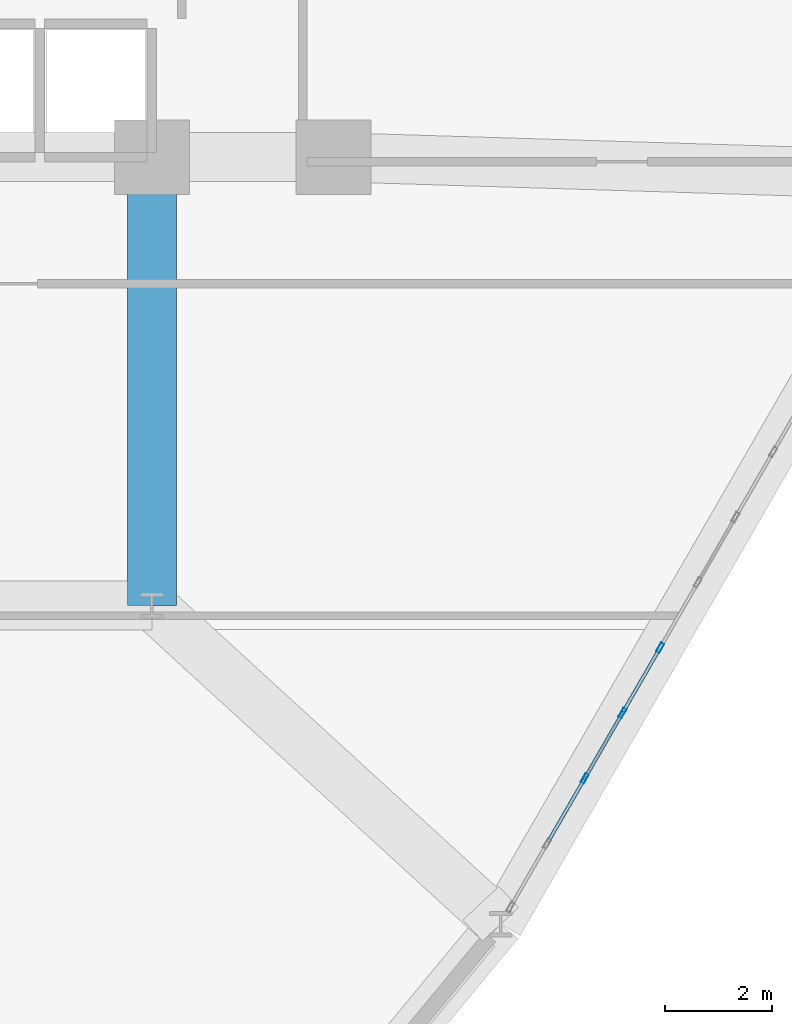
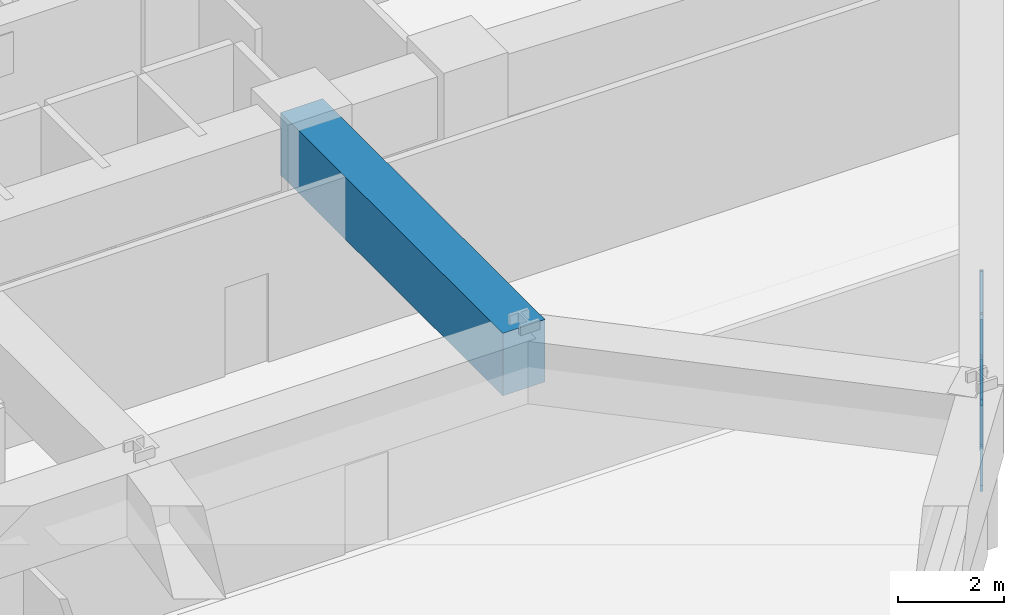
# One storey, part 7 of 20: 10 members, 1 beam, 1 element without a shape of its own.
"""IFC4 building model written with IfcOpenShell, lengths in metres."""

from ifc_helpers import new_model, si_unit, derived_unit, direction, frame, origin, origin_2d, place, context, subcontext, project, spatial, rectangle, hollow_rectangle, extrude, source, transform, mapped, material, layer, layer_set, material_profile, profile_set, type_object, element, aggregate, save


model = new_model("IFC4")

# Units and contexts
model_context = context("Model", 3, precision=1e-05, world=origin(), true_north=direction((0.0, 1.0)))
body_context = subcontext(model_context, "Body", "Model", "MODEL_VIEW")
ifc_project = project(units=[si_unit("LENGTHUNIT", "METRE"), si_unit("AREAUNIT", "SQUARE_METRE"), si_unit("VOLUMEUNIT", "CUBIC_METRE"), si_unit("PLANEANGLEUNIT", "RADIAN"), si_unit("MASSUNIT", "GRAM", prefix="KILO"), derived_unit("THERMALTRANSMITTANCEUNIT", [(si_unit("POWERUNIT", "WATT"), 1), (si_unit("LENGTHUNIT", "METRE"), -2), (si_unit("THERMODYNAMICTEMPERATUREUNIT", "KELVIN"), -1)])], contexts=[model_context])

# Site, building, storey
site_placement = place(None, origin())
site = spatial("IfcSite", under=ifc_project, at=site_placement, CompositionType="ELEMENT")
building_placement = place(site_placement, origin())
building = spatial("IfcBuilding", under=site, at=building_placement, Name="Korsvarv Bourse and Concert Hall", CompositionType="ELEMENT")
storey_placement = place(building_placement, frame((0.0, 0.0, 31.800048828125)))
storey = spatial("IfcBuildingStorey", under=building, at=storey_placement, Name="L07", CompositionType="ELEMENT", Elevation=31.800048828125)

# Beam
ifc_material_1 = material(Name="Concrete C50/60", Category="concrete")
ifc_material_profile_1 = material_profile(ifc_material_1, rectangle(XDim=0.919921875, YDim=1.43994140625, at=origin_2d()), Name="RC-BM 920x1440")
ifc_profile_set_1 = profile_set([ifc_material_profile_1], Name="Concrete C50/60")
beam_type = type_object("IfcBeamType", Name="BM-TR-144", PredefinedType="BEAM", material=ifc_profile_set_1)
shared_shape_1 = source(origin(), body_context, "Body", "SweptSolid", [
    extrude(rectangle(XDim=0.919921875, YDim=1.43994140625, at=origin_2d()), origin(), (0.0, 0.0, 1.0), 8.39990234375),
])
beam_placement = place(storey_placement, frame((44.39990234375, 24.0, 2.9599609375), z_axis=(0.0, 1.0, 0.0), x_axis=(-1.0, 0.0, 0.0)))
element("IfcBeam", 1, at=beam_placement, inside=storey, type_object=beam_type, Name="L07 beam B-TR4", PredefinedType="BEAM", context=body_context, shape_type="MappedRepresentation", body=[
    mapped(shared_shape_1, transform((0.0, 0.0, 0.0), scale=1.0)),
])

# Curtain wall, members
ifc_material_2 = material(Name="Anodised aluminium and triple low-E glazing", Category="glass")
ifc_layer = layer(ifc_material_2, 0.219970703125)
ifc_layer_set = layer_set([ifc_layer], Name="Anodised aluminium and triple low-E glazing")
curtain_wall_type = type_object("IfcCurtainWallType", Name="CW-SYS-1", PredefinedType="NOTDEFINED", material=ifc_layer_set)
curtain_wall_placement = place(storey_placement, origin())
curtain_wall = element("IfcCurtainWall", 2, at=curtain_wall_placement, inside=storey, type_object=curtain_wall_type, Name="L07 CW1 curtain wall CW-L07-F11", PredefinedType="NOTDEFINED")
ifc_material_3 = material(Name="Extruded aluminium EN AW-6063 T66", Category="aluminium")
ifc_material_profile_2 = material_profile(ifc_material_3, hollow_rectangle(XDim=0.070068359375, YDim=0.18994140625, WallThickness=0.0048828125, at=origin_2d()), Name="ALU-M 70x190")
ifc_profile_set_2 = profile_set([ifc_material_profile_2], Name="Extruded aluminium EN AW-6063 T66")
member_type_1 = type_object("IfcMemberType", Name="CWM-190", PredefinedType="MULLION", material=ifc_profile_set_2)
shared_shape_2 = source(origin(), body_context, "Body", "SweptSolid", [
    extrude(hollow_rectangle(XDim=0.070068359375, YDim=0.18994140625, WallThickness=0.0048828125, at=origin_2d()), origin(), (0.0, 0.0, 1.0), 2.079833984375),
])
member_1_placement = place(storey_placement, frame((52.509765625, 20.761474609375, 0.0), z_axis=(0.0, 0.0, 1.0), x_axis=(-0.866028517121, 0.499994607504, 0.0)))
member_1 = element("IfcMember", 3, at=member_1_placement, type_object=member_type_1, Name="CW1 mullion 3", PredefinedType="MULLION", context=body_context, shape_type="MappedRepresentation", body=[
    mapped(shared_shape_2, transform((0.0, 0.0, 0.0), scale=1.0)),
])
member_2_placement = place(storey_placement, frame((53.2158203125, 21.984375, 0.0), z_axis=(0.0, 0.0, 1.0), x_axis=(-0.866028517121, 0.499994607504, 0.0)))
member_2 = element("IfcMember", 4, at=member_2_placement, type_object=member_type_1, Name="CW1 mullion 4", PredefinedType="MULLION", context=body_context, shape_type="MappedRepresentation", body=[
    mapped(shared_shape_2, transform((0.0, 0.0, 0.0), scale=1.0)),
])
member_3_placement = place(storey_placement, frame((53.921875, 23.207275390625, 0.0), z_axis=(0.0, 0.0, 1.0), x_axis=(-0.866028517121, 0.499994607504, 0.0)))
member_3 = element("IfcMember", 5, at=member_3_placement, type_object=member_type_1, Name="CW1 mullion 5", PredefinedType="MULLION", context=body_context, shape_type="MappedRepresentation", body=[
    mapped(shared_shape_2, transform((0.0, 0.0, 0.0), scale=1.0)),
])
ifc_material_profile_3 = material_profile(ifc_material_3, hollow_rectangle(XDim=0.06494140625, YDim=0.139892578125, WallThickness=0.00390625, at=origin_2d()), Name="ALU-T 65x140")
ifc_profile_set_3 = profile_set([ifc_material_profile_3], Name="Extruded aluminium EN AW-6063 T66")
member_type_2 = type_object("IfcMemberType", Name="CWT-140", PredefinedType="USERDEFINED", material=ifc_profile_set_3)
shared_shape_3 = source(origin(), body_context, "Body", "SweptSolid", [
    extrude(hollow_rectangle(XDim=0.06494140625, YDim=0.139892578125, WallThickness=0.00390625, at=origin_2d()), origin(), (0.0, 0.0, 1.0), 1.342041015625),
])
member_4_placement = place(storey_placement, frame((51.8212890625, 19.56884765625, 0.032470703125), z_axis=(0.49989567431, 0.866085627872, 0.0), x_axis=(-0.866085627872, 0.49989567431, 0.0)))
member_4 = element("IfcMember", 6, at=member_4_placement, type_object=member_type_2, Name="CW1 transom 2.1", ObjectType="TRANSOM", PredefinedType="USERDEFINED", context=body_context, shape_type="MappedRepresentation", body=[
    mapped(shared_shape_3, transform((0.0, 0.0, 0.0), scale=1.0)),
])
member_5_placement = place(storey_placement, frame((51.8212890625, 19.56884765625, 2.04736328125), z_axis=(0.49989567431, 0.866085627872, 0.0), x_axis=(-0.866085627872, 0.49989567431, 0.0)))
member_5 = element("IfcMember", 7, at=member_5_placement, type_object=member_type_2, Name="CW1 transom 2.2", ObjectType="TRANSOM", PredefinedType="USERDEFINED", context=body_context, shape_type="MappedRepresentation", body=[
    mapped(shared_shape_3, transform((0.0, 0.0, 0.0), scale=1.0)),
])
member_6_placement = place(storey_placement, frame((52.52734375, 20.791748046875, 0.032470703125), z_axis=(0.49989567431, 0.866085627872, 0.0), x_axis=(-0.866085627872, 0.49989567431, 0.0)))
member_6 = element("IfcMember", 8, at=member_6_placement, type_object=member_type_2, Name="CW1 transom 3.1", ObjectType="TRANSOM", PredefinedType="USERDEFINED", context=body_context, shape_type="MappedRepresentation", body=[
    mapped(shared_shape_3, transform((0.0, 0.0, 0.0), scale=1.0)),
])
member_7_placement = place(storey_placement, frame((52.52734375, 20.791748046875, 2.04736328125), z_axis=(0.49989567431, 0.866085627872, 0.0), x_axis=(-0.866085627872, 0.49989567431, 0.0)))
member_7 = element("IfcMember", 9, at=member_7_placement, type_object=member_type_2, Name="CW1 transom 3.2", ObjectType="TRANSOM", PredefinedType="USERDEFINED", context=body_context, shape_type="MappedRepresentation", body=[
    mapped(shared_shape_3, transform((0.0, 0.0, 0.0), scale=1.0)),
])
ifc_material_profile_4 = material_profile(ifc_material_3, hollow_rectangle(XDim=0.06494140625, YDim=0.1650390625, WallThickness=0.0048828125, at=origin_2d()), Name="ALU-M 65x165")
ifc_profile_set_4 = profile_set([ifc_material_profile_4], Name="Extruded aluminium EN AW-6063 T66")
member_type_3 = type_object("IfcMemberType", Name="CWM-165", PredefinedType="MULLION", material=ifc_profile_set_4)
shared_shape_4 = source(origin(), body_context, "Body", "SweptSolid", [
    extrude(hollow_rectangle(XDim=0.06494140625, YDim=0.1650390625, WallThickness=0.0048828125, at=origin_2d()), origin(), (0.0, 0.0, 1.0), 2.3671875),
])
member_8_placement = place(storey_placement, frame((52.52734375, 20.791748046875, 0.06494140625), z_axis=(0.283418286508, 0.491031463634, 0.823748855292), x_axis=(-0.866085627872, 0.49989567431, 0.0)))
member_8 = element("IfcMember", 10, at=member_8_placement, type_object=member_type_3, Name="CW1 diagonal mullion 3", PredefinedType="MULLION", context=body_context, shape_type="MappedRepresentation", body=[
    mapped(shared_shape_4, transform((0.0, 0.0, 0.0), scale=1.0)),
])
shared_shape_5 = source(origin(), body_context, "Body", "SweptSolid", [
    extrude(hollow_rectangle(XDim=0.06494140625, YDim=0.139892578125, WallThickness=0.00390625, at=origin_2d()), origin(), (0.0, 0.0, 1.0), 1.341796875),
])
member_9_placement = place(storey_placement, frame((53.2333984375, 22.0146484375, 0.032470703125), z_axis=(0.499974444137, 0.866040157966, 0.0), x_axis=(-0.866040157966, 0.499974444137, 0.0)))
member_9 = element("IfcMember", 11, at=member_9_placement, type_object=member_type_2, Name="CW1 transom 4.1", ObjectType="TRANSOM", PredefinedType="USERDEFINED", context=body_context, shape_type="MappedRepresentation", body=[
    mapped(shared_shape_5, transform((0.0, 0.0, 0.0), scale=1.0)),
])
member_10_placement = place(storey_placement, frame((53.2333984375, 22.0146484375, 2.04736328125), z_axis=(0.499974444137, 0.866040157966, 0.0), x_axis=(-0.866040157966, 0.499974444137, 0.0)))
member_10 = element("IfcMember", 12, at=member_10_placement, type_object=member_type_2, Name="CW1 transom 4.2", ObjectType="TRANSOM", PredefinedType="USERDEFINED", context=body_context, shape_type="MappedRepresentation", body=[
    mapped(shared_shape_5, transform((0.0, 0.0, 0.0), scale=1.0)),
])
aggregate(curtain_wall, [member_1, member_2, member_3, member_4, member_5, member_6, member_7, member_8, member_9, member_10])

save(model, "model.ifc")
